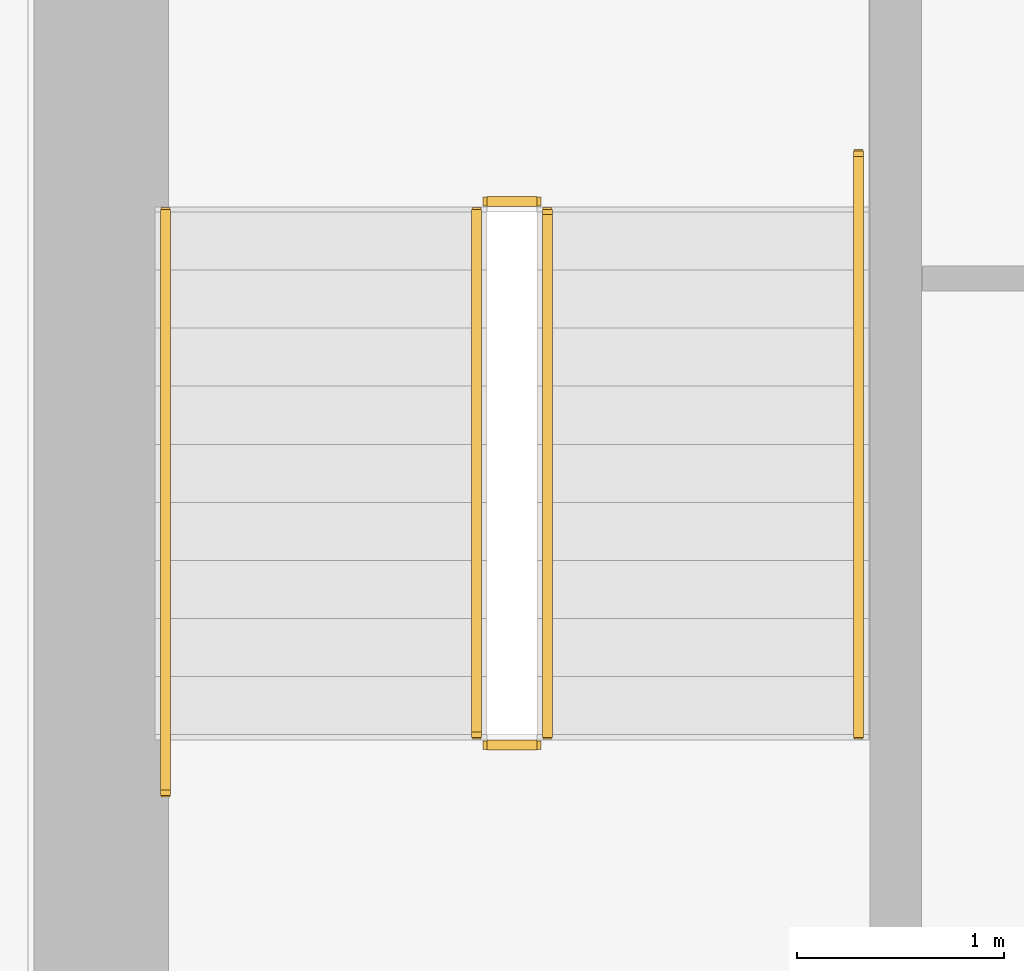
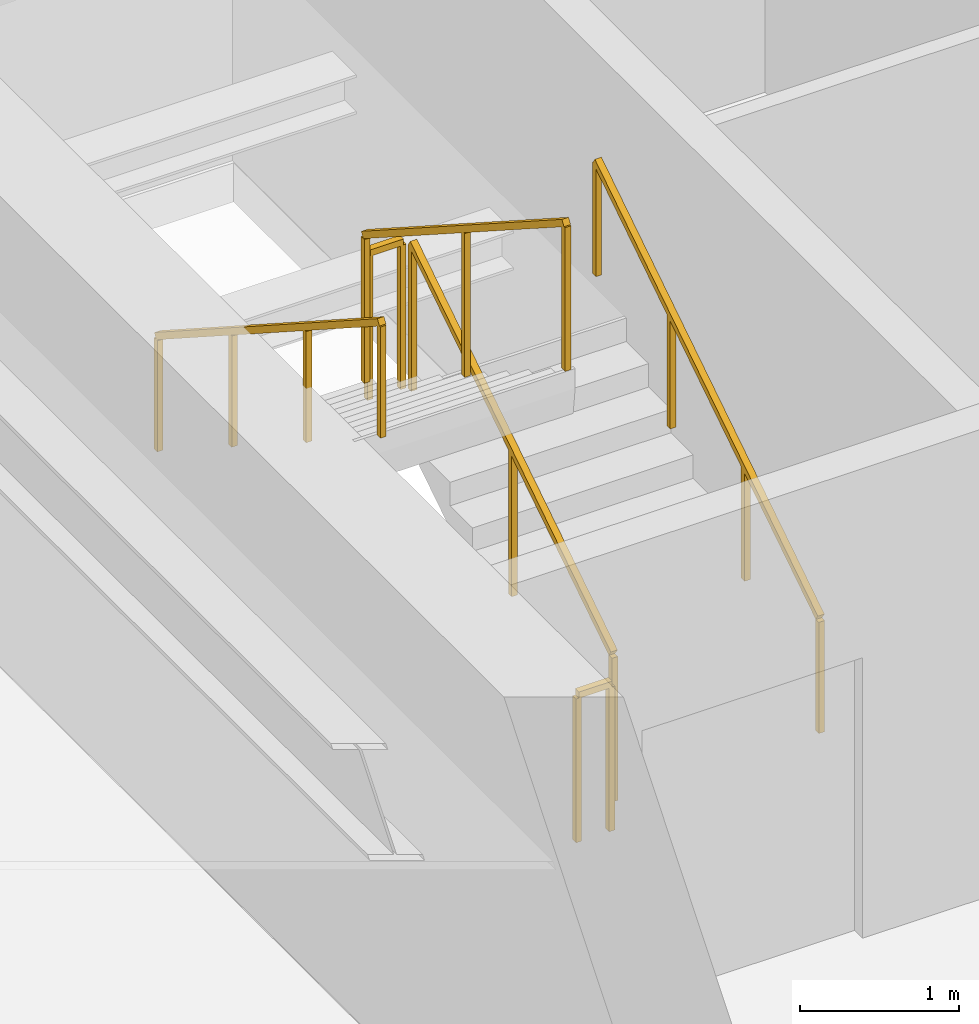
# One storey, part 33 of 36: 6 railings.
"""IFC4 building model written with IfcOpenShell, lengths in metres."""

from ifc_helpers import new_model, si_unit, direction, frame, origin, origin_2d, place, context, subcontext, project, spatial, rectangle, extrude, material, type_object, element, save


model = new_model("IFC4")

# Units and contexts
model_context = context("Model", 3, precision=1e-05, world=origin(), true_north=direction((0.0, 1.0)))
body_context = subcontext(model_context, "Body", "Model", "MODEL_VIEW")
ifc_project = project(units=[si_unit("LENGTHUNIT", "METRE"), si_unit("AREAUNIT", "SQUARE_METRE"), si_unit("VOLUMEUNIT", "CUBIC_METRE"), si_unit("PLANEANGLEUNIT", "RADIAN"), si_unit("MASSUNIT", "GRAM", prefix="KILO")], contexts=[model_context])

# Site, building, storey
site_placement = place(None, origin())
site = spatial("IfcSite", under=ifc_project, at=site_placement, CompositionType="ELEMENT")
building_placement = place(site_placement, origin())
building = spatial("IfcBuilding", under=site, at=building_placement, Name="Sumidabori Civic Tower", CompositionType="ELEMENT")
storey_placement = place(building_placement, frame((0.0, 0.0, 77.60009765625)))
storey = spatial("IfcBuildingStorey", under=building, at=storey_placement, Name="L19", CompositionType="ELEMENT", Elevation=77.60009765625)

# Railings
ifc_material_1 = material(Name="Stainless Steel Hairline Finish", Category="steel")
railing_type_1 = type_object("IfcRailingType", Name="RL-HANDRAIL", PredefinedType="HANDRAIL", material=ifc_material_1)
railing_1_placement = place(storey_placement, frame((-11.949951171875, 16.0, 0.179931640625)))
element("IfcRailing", 1, at=railing_1_placement, inside=storey, type_object=railing_type_1, Name="L19 ST-1 stair handrail 1", PredefinedType="HANDRAIL", context=body_context, shape_type="SweptSolid", body=[
    extrude(rectangle(XDim=0.048095703125, YDim=0.048095703125, at=origin_2d()), frame((0.0, 0.0, 0.8759765625), z_axis=(0.0, 0.840675598268, 0.541539046124), x_axis=(-1.0, 0.0, 0.0)), (0.0, 0.0, 1.0), 3.330810546875),
    extrude(rectangle(XDim=0.0419921875, YDim=0.0419921875, at=origin_2d()), origin(), (0.0, 0.0, 1.0), 0.851806640625),
    extrude(rectangle(XDim=0.0419921875, YDim=0.0419921875, at=origin_2d()), frame((0.0, 0.933349609375, 0.601318359375)), (0.0, 0.0, 1.0), 0.851806640625),
    extrude(rectangle(XDim=0.0419921875, YDim=0.0419921875, at=origin_2d()), frame((0.0, 1.86669921875, 1.202392578125)), (0.0, 0.0, 1.0), 0.851806640625),
    extrude(rectangle(XDim=0.0419921875, YDim=0.0419921875, at=origin_2d()), frame((0.0, 2.800048828125, 1.8037109375)), (0.0, 0.0, 1.0), 0.851806640625),
])
railing_2_placement = place(storey_placement, frame((-15.2900390625, 18.52001953125, 1.97998046875)))
element("IfcRailing", 2, at=railing_2_placement, inside=storey, type_object=railing_type_1, Name="L19 ST-1 stair handrail 2", PredefinedType="HANDRAIL", context=body_context, shape_type="SweptSolid", body=[
    extrude(rectangle(XDim=0.048095703125, YDim=0.048095703125, at=origin_2d()), frame((0.0, 0.0, 0.8759765625), z_axis=(0.0, -0.840675598268, 0.541539046124), x_axis=(1.0, 0.0, 0.0)), (0.0, 0.0, 1.0), 3.330810546875),
    extrude(rectangle(XDim=0.0419921875, YDim=0.0419921875, at=origin_2d()), origin(), (0.0, 0.0, 1.0), 0.851806640625),
    extrude(rectangle(XDim=0.0419921875, YDim=0.0419921875, at=origin_2d()), frame((0.0, -0.933349609375, 0.601318359375)), (0.0, 0.0, 1.0), 0.851806640625),
    extrude(rectangle(XDim=0.0419921875, YDim=0.0419921875, at=origin_2d()), frame((0.0, -1.86669921875, 1.202392578125)), (0.0, 0.0, 1.0), 0.851806640625),
    extrude(rectangle(XDim=0.0419921875, YDim=0.0419921875, at=origin_2d()), frame((0.0, -2.800048828125, 1.8037109375)), (0.0, 0.0, 1.0), 0.851806640625),
])
ifc_material_2 = material(Name="Steel SN490", Category="steel")
railing_type_2 = type_object("IfcRailingType", Name="RL-STAIR-GUARD", PredefinedType="GUARDRAIL", material=ifc_material_2)
railing_3_placement = place(storey_placement, frame((-13.449951171875, 16.0, 0.179931640625)))
element("IfcRailing", 3, at=railing_3_placement, inside=storey, type_object=railing_type_2, Name="L19 ST-1 stair guard 1", PredefinedType="GUARDRAIL", context=body_context, shape_type="SweptSolid", body=[
    extrude(rectangle(XDim=0.048095703125, YDim=0.048095703125, at=origin_2d()), frame((0.0, 0.0, 1.1259765625), z_axis=(0.0, 0.841199657755, 0.540724639528), x_axis=(-1.0, 0.0, 0.0)), (0.0, 0.0, 1.0), 2.995849609375),
    extrude(rectangle(XDim=0.0419921875, YDim=0.0419921875, at=origin_2d()), origin(), (0.0, 0.0, 1.0), 1.101806640625),
    extrude(rectangle(XDim=0.0419921875, YDim=0.0419921875, at=origin_2d()), frame((0.0, 1.260009765625, 0.81005859375)), (0.0, 0.0, 1.0), 1.101806640625),
    extrude(rectangle(XDim=0.0419921875, YDim=0.0419921875, at=origin_2d()), frame((0.0, 2.52001953125, 1.619873046875)), (0.0, 0.0, 1.0), 1.101806640625),
])
railing_4_placement = place(storey_placement, frame((-13.5, 18.570068359375, 1.7998046875)))
element("IfcRailing", 4, at=railing_4_placement, inside=storey, type_object=railing_type_2, Name="L19 ST-1 stair guard 2", PredefinedType="GUARDRAIL", context=body_context, shape_type="SweptSolid", body=[
    extrude(rectangle(XDim=0.048095703125, YDim=0.048095703125, at=origin_2d()), frame((0.0, 0.0, 1.1259765625), z_axis=(-1.0, 0.0, 0.0), x_axis=(0.0, -1.0, 0.0)), (0.0, 0.0, 1.0), 0.239990234375),
    extrude(rectangle(XDim=0.0419921875, YDim=0.0419921875, at=origin_2d()), origin(), (0.0, 0.0, 1.0), 1.101806640625),
    extrude(rectangle(XDim=0.0419921875, YDim=0.0419921875, at=origin_2d()), frame((-0.239990234375, 0.0, 0.0)), (0.0, 0.0, 1.0), 1.101806640625),
])
railing_5_placement = place(storey_placement, frame((-13.7900390625, 18.52001953125, 1.97998046875)))
element("IfcRailing", 5, at=railing_5_placement, inside=storey, type_object=railing_type_2, Name="L19 ST-1 stair guard 3", PredefinedType="GUARDRAIL", context=body_context, shape_type="SweptSolid", body=[
    extrude(rectangle(XDim=0.048095703125, YDim=0.048095703125, at=origin_2d()), frame((0.0, 0.0, 1.1259765625), z_axis=(0.0, -0.841199657755, 0.540724639528), x_axis=(1.0, 0.0, 0.0)), (0.0, 0.0, 1.0), 2.995849609375),
    extrude(rectangle(XDim=0.0419921875, YDim=0.0419921875, at=origin_2d()), origin(), (0.0, 0.0, 1.0), 1.101806640625),
    extrude(rectangle(XDim=0.0419921875, YDim=0.0419921875, at=origin_2d()), frame((0.0, -1.260009765625, 0.81005859375)), (0.0, 0.0, 1.0), 1.101806640625),
    extrude(rectangle(XDim=0.0419921875, YDim=0.0419921875, at=origin_2d()), frame((0.0, -2.52001953125, 1.619873046875)), (0.0, 0.0, 1.0), 1.101806640625),
])
railing_6_placement = place(storey_placement, frame((-13.5, 15.949951171875, 0.0)))
element("IfcRailing", 6, at=railing_6_placement, inside=storey, type_object=railing_type_2, Name="L19 ST-1 stair guard 4", PredefinedType="GUARDRAIL", context=body_context, shape_type="SweptSolid", body=[
    extrude(rectangle(XDim=0.048095703125, YDim=0.048095703125, at=origin_2d()), frame((0.0, 0.0, 1.1259765625), z_axis=(-1.0, 0.0, 0.0), x_axis=(0.0, -1.0, 0.0)), (0.0, 0.0, 1.0), 0.239990234375),
    extrude(rectangle(XDim=0.0419921875, YDim=0.0419921875, at=origin_2d()), origin(), (0.0, 0.0, 1.0), 1.101806640625),
    extrude(rectangle(XDim=0.0419921875, YDim=0.0419921875, at=origin_2d()), frame((-0.239990234375, 0.0, 0.0)), (0.0, 0.0, 1.0), 1.101806640625),
])

save(model, "model.ifc")
